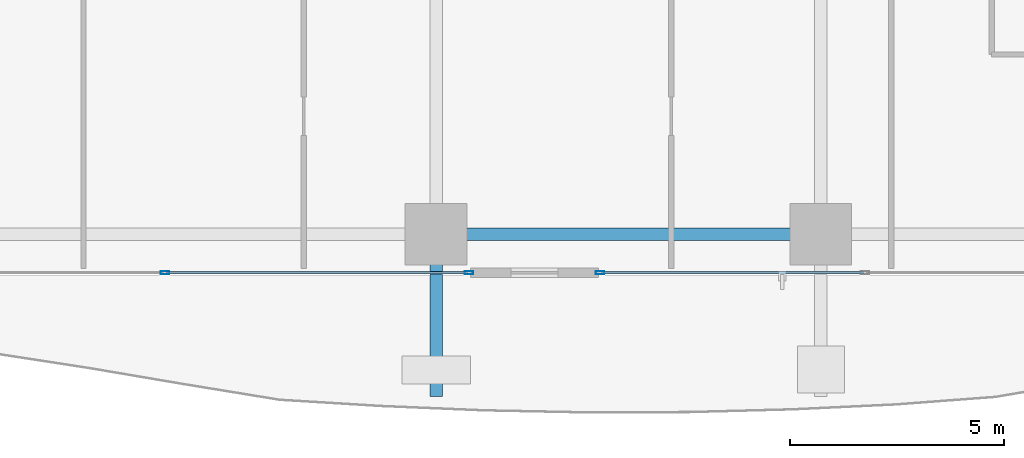
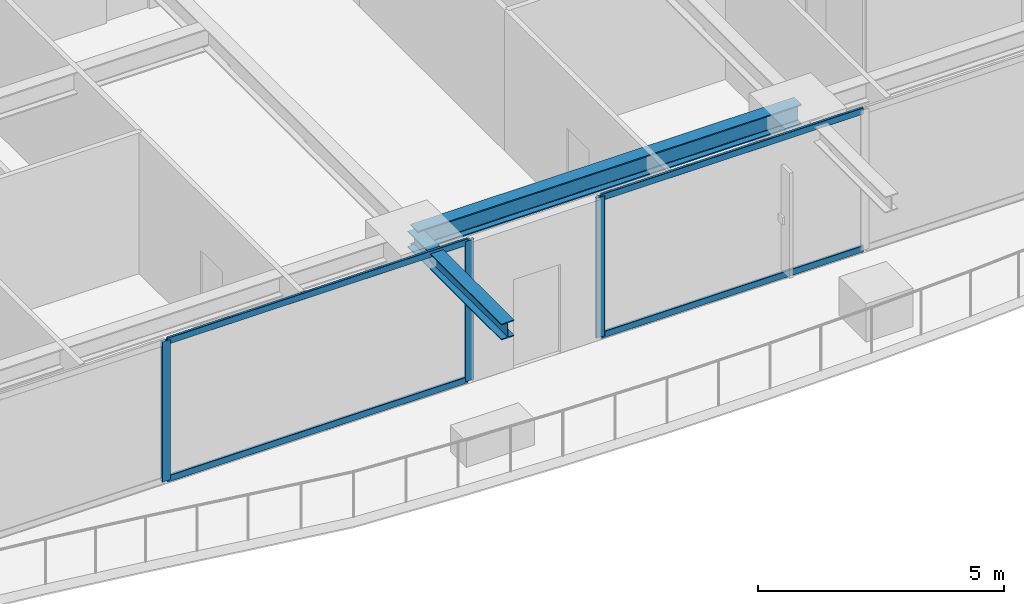
# One storey, part 5 of 41: 7 members, 2 beams, 2 elements without a shape of their own.
"""IFC4 building model written with IfcOpenShell, lengths in metres."""

from ifc_helpers import new_model, si_unit, direction, frame, origin, origin_2d, place, context, subcontext, project, spatial, hollow_rectangle, i_section, extrude, source, transform, mapped, material, layer, layer_set, material_profile, profile_set, type_object, element, aggregate, save


model = new_model("IFC4")

# Units and contexts
model_context = context("Model", 3, precision=1e-05, world=origin(), true_north=direction((0.0, 1.0)))
body_context = subcontext(model_context, "Body", "Model", "MODEL_VIEW")
ifc_project = project(units=[si_unit("LENGTHUNIT", "METRE"), si_unit("AREAUNIT", "SQUARE_METRE"), si_unit("VOLUMEUNIT", "CUBIC_METRE"), si_unit("PLANEANGLEUNIT", "RADIAN"), si_unit("MASSUNIT", "GRAM", prefix="KILO")], contexts=[model_context])

# Site, building, storey
site_placement = place(None, origin())
site = spatial("IfcSite", under=ifc_project, at=site_placement, CompositionType="ELEMENT")
building_placement = place(site_placement, origin())
building = spatial("IfcBuilding", under=site, at=building_placement, Name="Serunith Strait Residences", CompositionType="ELEMENT")
storey_placement = place(building_placement, frame((0.0, 0.0, 75.449951171875)))
storey = spatial("IfcBuildingStorey", under=building, at=storey_placement, Name="L18", CompositionType="ELEMENT", Elevation=75.449951171875)

# Beams
ifc_material_1 = material(Name="Steel S355J2", Category="steel")
ifc_material_profile_1 = material_profile(ifc_material_1, i_section(OverallWidth=0.300048828125, OverallDepth=0.5, WebThickness=0.014404296875, FlangeThickness=0.028076171875, FilletRadius=0.027099609375, at=origin_2d()), Name="HEB 500")
ifc_profile_set_1 = profile_set([ifc_material_profile_1], Name="Steel S355J2")
beam_type_1 = type_object("IfcBeamType", Name="BM-HEB500", PredefinedType="BEAM", material=ifc_profile_set_1)
shared_shape_1 = source(origin(), body_context, "Body", "SweptSolid", [
    extrude(i_section(OverallWidth=0.300048828125, OverallDepth=0.5, WebThickness=0.014404296875, FlangeThickness=0.028076171875, FilletRadius=0.027099609375, at=origin_2d()), origin(), (0.0, 0.0, 1.0), 9.0),
])
beam_1_placement = place(storey_placement, frame((27.89990234375, 1.10009765625, 3.237060546875), z_axis=(1.0, 0.0, 0.0), x_axis=(0.0, 1.0, 0.0)))
element("IfcBeam", 1, at=beam_1_placement, inside=storey, type_object=beam_type_1, Name="L18 Perimeter Ring Beam 02", PredefinedType="BEAM", context=body_context, shape_type="MappedRepresentation", body=[
    mapped(shared_shape_1, transform((0.0, 0.0, 0.0), scale=1.0)),
])
ifc_material_profile_2 = material_profile(ifc_material_1, i_section(OverallWidth=0.300048828125, OverallDepth=0.39990234375, WebThickness=0.013427734375, FlangeThickness=0.02392578125, FilletRadius=0.027099609375, at=origin_2d()), Name="HEB 400")
ifc_profile_set_2 = profile_set([ifc_material_profile_2], Name="Steel S355J2")
beam_type_2 = type_object("IfcBeamType", Name="BM-HEB400", PredefinedType="BEAM", material=ifc_profile_set_2)
shared_shape_2 = source(origin(), body_context, "Body", "SweptSolid", [
    extrude(i_section(OverallWidth=0.300048828125, OverallDepth=0.39990234375, WebThickness=0.013427734375, FlangeThickness=0.02392578125, FilletRadius=0.027099609375, at=origin_2d()), origin(), (0.0, 0.0, 1.0), 3.800048828125),
])
beam_2_placement = place(storey_placement, frame((27.89990234375, 1.10009765625, 3.257080078125), z_axis=(0.0, -1.0, 0.0), x_axis=(1.0, 0.0, 0.0)))
element("IfcBeam", 2, at=beam_2_placement, inside=storey, type_object=beam_type_2, Name="L19 Cantilevered Balcony Rib TC-S2", PredefinedType="BEAM", context=body_context, shape_type="MappedRepresentation", body=[
    mapped(shared_shape_2, transform((0.0, 0.0, 0.0), scale=1.0)),
])

# Curtain wall, members
ifc_material_2 = material(Name="Pale-Champagne Anodised Aluminium", Category="aluminium")
ifc_layer = layer(ifc_material_2, 0.199951171875, Name="Pale-Champagne Anodised Aluminium")
ifc_layer_set = layer_set([ifc_layer], Name="Pale-Champagne Anodised Aluminium")
curtain_wall_type = type_object("IfcCurtainWallType", Name="CW-SYS1", PredefinedType="NOTDEFINED", material=ifc_layer_set)
curtain_wall_1_placement = place(storey_placement, origin())
curtain_wall_1 = element("IfcCurtainWall", 3, at=curtain_wall_1_placement, inside=storey, type_object=curtain_wall_type, Name="L18 S Unitised Fritted Curtain Wall", PredefinedType="NOTDEFINED")
ifc_material_profile_3 = material_profile(ifc_material_2, hollow_rectangle(XDim=0.070068359375, YDim=0.199951171875, WallThickness=0.00390625, InnerFilletRadius=0.006103515625, OuterFilletRadius=0.010009765625, at=origin_2d()), Name="ALU 200x70x4")
ifc_profile_set_3 = profile_set([ifc_material_profile_3], Name="Pale-Champagne Anodised Aluminium")
member_type_1 = type_object("IfcMemberType", Name="CW-SYS1-MULL", PredefinedType="MULLION", material=ifc_profile_set_3)
shared_shape_3 = source(origin(), body_context, "Body", "SweptSolid", [
    extrude(hollow_rectangle(XDim=0.070068359375, YDim=0.199951171875, WallThickness=0.00390625, InnerFilletRadius=0.006103515625, OuterFilletRadius=0.010009765625, at=origin_2d()), origin(), (0.0, 0.0, 1.0), 3.47509765625),
])
member_1_placement = place(storey_placement, frame((21.550048828125, 0.199951171875, 0.0), z_axis=(0.0, 0.0, 1.0), x_axis=(0.0, 1.0, 0.0)))
member_1 = element("IfcMember", 4, at=member_1_placement, type_object=member_type_1, Name="CW-1 mullion 2", PredefinedType="MULLION", context=body_context, shape_type="MappedRepresentation", body=[
    mapped(shared_shape_3, transform((0.0, 0.0, 0.0), scale=1.0)),
])
member_2_placement = place(storey_placement, frame((28.6650390625, 0.199951171875, 0.0), z_axis=(0.0, 0.0, 1.0), x_axis=(0.0, 1.0, 0.0)))
member_2 = element("IfcMember", 5, at=member_2_placement, type_object=member_type_1, Name="CW-1 mullion 3", PredefinedType="MULLION", context=body_context, shape_type="MappedRepresentation", body=[
    mapped(shared_shape_3, transform((0.0, 0.0, 0.0), scale=1.0)),
])

# Curtain wall, member
curtain_wall_2_placement = place(storey_placement, origin())
curtain_wall_2 = element("IfcCurtainWall", 6, at=curtain_wall_2_placement, inside=storey, type_object=curtain_wall_type, Name="L18 S Unitised Fritted Curtain Wall", PredefinedType="NOTDEFINED")
member_3_placement = place(storey_placement, frame((31.735107421875, 0.199951171875, 0.0), z_axis=(0.0, 0.0, 1.0), x_axis=(0.0, 1.0, 0.0)))
member_3 = element("IfcMember", 7, at=member_3_placement, type_object=member_type_1, Name="CW-1 mullion 1", PredefinedType="MULLION", context=body_context, shape_type="MappedRepresentation", body=[
    mapped(shared_shape_3, transform((0.0, 0.0, 0.0), scale=1.0)),
])

# Member
ifc_material_profile_4 = material_profile(ifc_material_2, hollow_rectangle(XDim=0.06005859375, YDim=0.159912109375, WallThickness=0.00341796875, InnerFilletRadius=0.00537109375, OuterFilletRadius=0.0087890625, at=origin_2d()), Name="ALU 160x60x3.5")
ifc_profile_set_4 = profile_set([ifc_material_profile_4], Name="Pale-Champagne Anodised Aluminium")
member_type_2 = type_object("IfcMemberType", Name="CW-SYS1-TRAN", PredefinedType="USERDEFINED", material=ifc_profile_set_4)
shared_shape_4 = source(origin(), body_context, "Body", "SweptSolid", [
    extrude(hollow_rectangle(XDim=0.06005859375, YDim=0.159912109375, WallThickness=0.00341796875, InnerFilletRadius=0.00537109375, OuterFilletRadius=0.0087890625, at=origin_2d()), origin(), (0.0, 0.0, 1.0), 7.044921875),
])
member_4_placement = place(storey_placement, frame((21.5849609375, 0.199951171875, 0.030029296875), z_axis=(1.0, 0.0, 0.0), x_axis=(0.0, 1.0, 0.0)))
member_4 = element("IfcMember", 8, at=member_4_placement, type_object=member_type_2, Name="CW-1 transom 2.1", ObjectType="TRANSOM", PredefinedType="USERDEFINED", context=body_context, shape_type="MappedRepresentation", body=[
    mapped(shared_shape_4, transform((0.0, 0.0, 0.0), scale=1.0)),
])

member_5_placement = place(storey_placement, frame((21.5849609375, 0.199951171875, 3.445068359375), z_axis=(1.0, 0.0, 0.0), x_axis=(0.0, 1.0, 0.0)))
member_5 = element("IfcMember", 9, at=member_5_placement, type_object=member_type_2, Name="CW-1 transom 2.2", ObjectType="TRANSOM", PredefinedType="USERDEFINED", context=body_context, shape_type="MappedRepresentation", body=[
    mapped(shared_shape_4, transform((0.0, 0.0, 0.0), scale=1.0)),
])

aggregate(curtain_wall_1, [member_1, member_2, member_4, member_5])

shared_shape_5 = source(origin(), body_context, "Body", "SweptSolid", [
    extrude(hollow_rectangle(XDim=0.06005859375, YDim=0.159912109375, WallThickness=0.00341796875, InnerFilletRadius=0.00537109375, OuterFilletRadius=0.0087890625, at=origin_2d()), origin(), (0.0, 0.0, 1.0), 6.12841796875),
])
member_6_placement = place(storey_placement, frame((31.77001953125, 0.199951171875, 0.030029296875), z_axis=(1.0, 0.0, 0.0), x_axis=(0.0, 1.0, 0.0)))
member_6 = element("IfcMember", 10, at=member_6_placement, type_object=member_type_2, Name="CW-1 transom 1.1", ObjectType="TRANSOM", PredefinedType="USERDEFINED", context=body_context, shape_type="MappedRepresentation", body=[
    mapped(shared_shape_5, transform((0.0, 0.0, 0.0), scale=1.0)),
])

member_7_placement = place(storey_placement, frame((31.77001953125, 0.199951171875, 3.445068359375), z_axis=(1.0, 0.0, 0.0), x_axis=(0.0, 1.0, 0.0)))
member_7 = element("IfcMember", 11, at=member_7_placement, type_object=member_type_2, Name="CW-1 transom 1.2", ObjectType="TRANSOM", PredefinedType="USERDEFINED", context=body_context, shape_type="MappedRepresentation", body=[
    mapped(shared_shape_5, transform((0.0, 0.0, 0.0), scale=1.0)),
])

aggregate(curtain_wall_2, [member_3, member_6, member_7])

save(model, "model.ifc")
